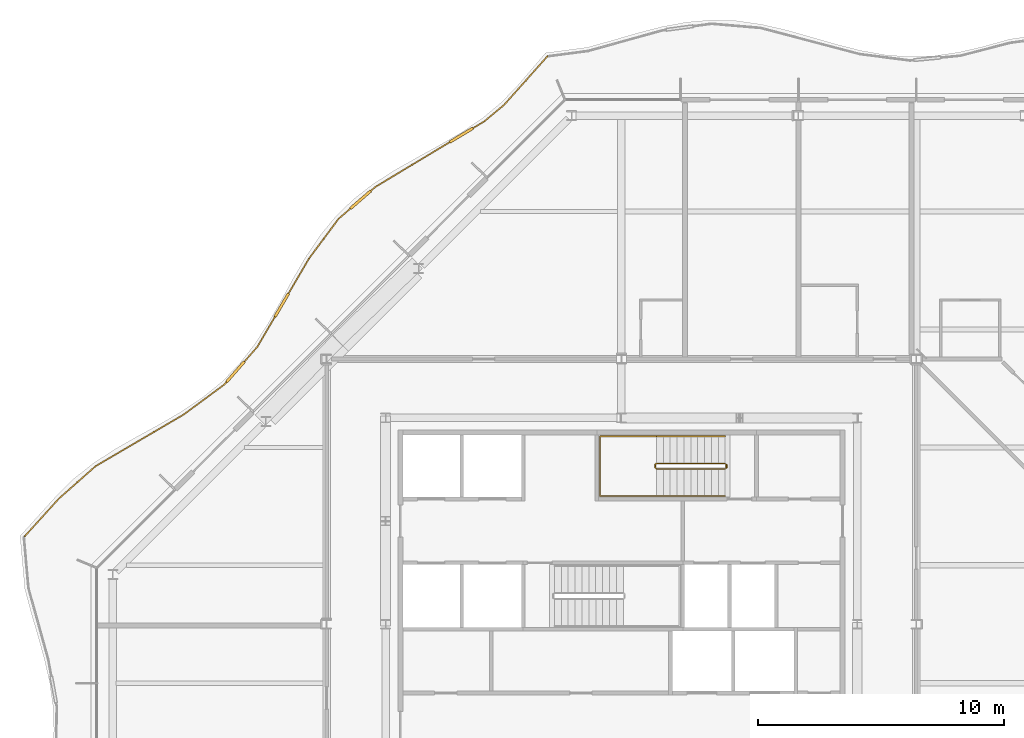
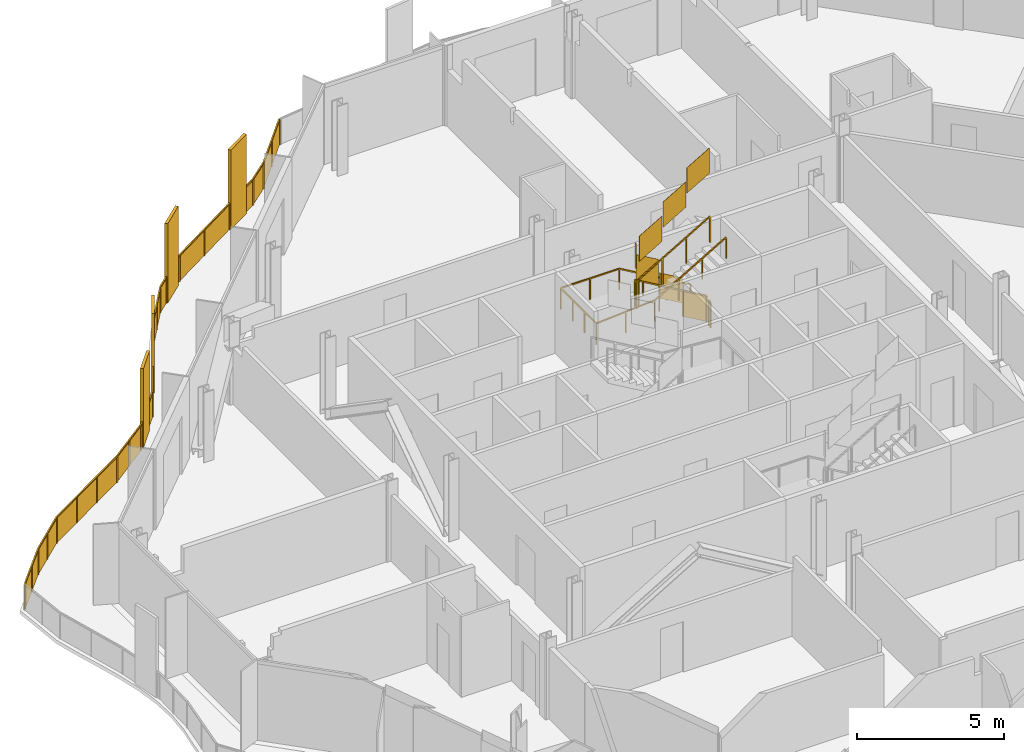
# One storey, part 16 of 17: 4 railings.
"""IFC4 building model written with IfcOpenShell, lengths in metres."""

from ifc_helpers import new_model, si_unit, direction, frame, origin, origin_2d, place, context, subcontext, project, spatial, polyline, rectangle, outline, extrude, material, type_object, element, save


model = new_model("IFC4")

# Units and contexts
model_context = context("Model", 3, precision=1e-05, world=origin(), true_north=direction((0.0, 1.0)))
body_context = subcontext(model_context, "Body", "Model", "MODEL_VIEW")
ifc_project = project(units=[si_unit("LENGTHUNIT", "METRE"), si_unit("AREAUNIT", "SQUARE_METRE"), si_unit("VOLUMEUNIT", "CUBIC_METRE"), si_unit("PLANEANGLEUNIT", "RADIAN"), si_unit("MASSUNIT", "GRAM", prefix="KILO")], contexts=[model_context])

# Site, building, storey
site_placement = place(None, origin())
site = spatial("IfcSite", under=ifc_project, at=site_placement, CompositionType="ELEMENT")
building_placement = place(site_placement, origin())
building = spatial("IfcBuilding", under=site, at=building_placement, Name="Cairn Pilgrim Tower", CompositionType="ELEMENT")
storey_placement = place(building_placement, frame((0.0, 0.0, 257.39990234375)))
storey = spatial("IfcBuildingStorey", under=building, at=storey_placement, Name="L66", CompositionType="ELEMENT", Elevation=257.39990234375)

# Railings
ifc_material_1 = material(Name="Bronze anodised aluminium rail, posts and fin screens with laminated glass infill", Category="aluminium")
railing_type_1 = type_object("IfcRailingType", Name="BALCONY GUARD WITH FIN SCREENS", PredefinedType="GUARDRAIL", material=ifc_material_1)
railing_1_placement = place(storey_placement, frame((4.187255859375, 25.5185546875, 0.0)))
element("IfcRailing", 1, at=railing_1_placement, inside=storey, type_object=railing_type_1, Name="Balcony guard BGF-6 with fin screens", PredefinedType="GUARDRAIL", context=body_context, shape_type="SweptSolid", body=[
    extrude(rectangle(XDim=0.050048828125, YDim=0.050048828125, at=origin_2d()), frame((0.0, 0.0, 1.0751953125), z_axis=(-0.665645255765, -0.746268311988, 0.0), x_axis=(0.746268311988, -0.665645255765, 0.0)), (0.0, 0.0, 1.0), 2.65869140625),
    extrude(rectangle(XDim=0.050048828125, YDim=0.050048828125, at=origin_2d()), frame((-1.769775390625, -1.984130859375, 1.0751953125), z_axis=(-0.769227911486, -0.638974506683, 0.0), x_axis=(0.638974506683, -0.769227911486, 0.0)), (0.0, 0.0, 1.0), 1.03271484375),
    extrude(rectangle(XDim=1.10009765625, YDim=0.110107421875, at=origin_2d()), frame((-3.50341796875, -3.20947265625, 0.0), z_axis=(0.0, 0.0, 1.0), x_axis=(-0.856735056824, -0.515756766712, 0.0)), (0.0, 0.0, 1.0), 3.300048828125),
    extrude(rectangle(XDim=0.050048828125, YDim=0.050048828125, at=origin_2d()), frame((-2.564208984375, -2.64404296875, 1.0751953125), z_axis=(-0.856735056824, -0.515756766712, 0.0), x_axis=(0.515756766712, -0.856735056824, 0.0)), (0.0, 0.0, 1.0), 0.54638671875),
    extrude(rectangle(XDim=0.050048828125, YDim=0.050048828125, at=origin_2d()), frame((-3.974853515625, -3.4931640625, 1.0751953125), z_axis=(-0.856735056824, -0.515756766712, 0.0), x_axis=(0.515756766712, -0.856735056824, 0.0)), (0.0, 0.0, 1.0), 3.533203125),
    extrude(rectangle(XDim=1.10009765625, YDim=0.110107421875, at=origin_2d()), frame((-7.608642578125, -5.841064453125, 0.0), z_axis=(0.0, 0.0, 1.0), x_axis=(-0.755855266983, -0.654738738256, 0.0)), (0.0, 0.0, 1.0), 3.300048828125),
    extrude(rectangle(XDim=0.050048828125, YDim=0.050048828125, at=origin_2d()), frame((-7.001708984375, -5.3154296875, 1.0751953125), z_axis=(-0.755855266983, -0.654738738256, 0.0), x_axis=(0.654738738256, -0.755855266983, 0.0)), (0.0, 0.0, 1.0), 0.2529296875),
    extrude(rectangle(XDim=0.050048828125, YDim=0.050048828125, at=origin_2d()), frame((-8.0244140625, -6.201171875, 1.0751953125), z_axis=(-0.755855266983, -0.654738738256, 0.0), x_axis=(0.654738738256, -0.755855266983, 0.0)), (0.0, 0.0, 1.0), 0.634033203125),
    extrude(rectangle(XDim=0.050048828125, YDim=0.050048828125, at=origin_2d()), frame((-8.503662109375, -6.616455078125, 1.0751953125), z_axis=(-0.596941621145, -0.802284675751, 0.0), x_axis=(0.802284675751, -0.596941621145, 0.0)), (0.0, 0.0, 1.0), 2.008056640625),
    extrude(rectangle(XDim=1.10009765625, YDim=0.110107421875, at=origin_2d()), frame((-10.81201171875, -10.12451171875, 0.0), z_axis=(0.0, 0.0, 1.0), x_axis=(-0.504945951806, -0.863150963479, 0.0)), (0.0, 0.0, 1.0), 3.300048828125),
    extrude(rectangle(XDim=0.050048828125, YDim=0.050048828125, at=origin_2d()), frame((-9.702392578125, -8.2275390625, 1.0751953125), z_axis=(-0.504945951806, -0.863150963479, 0.0), x_axis=(0.863150963479, -0.504945951806, 0.0)), (0.0, 0.0, 1.0), 1.647705078125),
    extrude(rectangle(XDim=0.050048828125, YDim=0.050048828125, at=origin_2d()), frame((-11.08984375, -10.59912109375, 1.0751953125), z_axis=(-0.504945951806, -0.863150963479, 0.0), x_axis=(0.863150963479, -0.504945951806, 0.0)), (0.0, 0.0, 1.0), 1.416748046875),
    extrude(rectangle(XDim=1.10009765625, YDim=0.110107421875, at=origin_2d()), frame((-12.691650390625, -12.835205078125, 0.0), z_axis=(0.0, 0.0, 1.0), x_axis=(-0.658470820357, -0.75260625744, 0.0)), (0.0, 0.0, 1.0), 3.300048828125),
    extrude(rectangle(XDim=0.050048828125, YDim=0.050048828125, at=origin_2d()), frame((-11.80517578125, -11.822021484375, 1.0751953125), z_axis=(-0.658470820357, -0.75260625744, 0.0), x_axis=(0.75260625744, -0.658470820357, 0.0)), (0.0, 0.0, 1.0), 0.79638671875),
    extrude(rectangle(XDim=0.050048828125, YDim=0.050048828125, at=origin_2d()), frame((-13.053955078125, -13.249267578125, 1.0751953125), z_axis=(-0.658470820357, -0.75260625744, 0.0), x_axis=(0.75260625744, -0.658470820357, 0.0)), (0.0, 0.0, 1.0), 0.14990234375),
    extrude(rectangle(XDim=0.050048828125, YDim=0.050048828125, at=origin_2d()), frame((-13.152587890625, -13.362060546875, 1.0751953125), z_axis=(-0.804841149106, -0.593490290322, 0.0), x_axis=(0.593490290322, -0.804841149106, 0.0)), (0.0, 0.0, 1.0), 2.058349609375),
    extrude(rectangle(XDim=0.050048828125, YDim=0.050048828125, at=origin_2d()), frame((-14.809326171875, -14.583740234375, 1.0751953125), z_axis=(-0.862802366809, -0.505541369059, 0.0), x_axis=(0.505541369059, -0.862802366809, 0.0)), (0.0, 0.0, 1.0), 4.15087890625),
    extrude(rectangle(XDim=0.050048828125, YDim=0.050048828125, at=origin_2d()), frame((-18.390625, -16.68212890625, 1.0751953125), z_axis=(-0.749326257364, -0.662200996696, 0.0), x_axis=(0.662200996696, -0.749326257364, 0.0)), (0.0, 0.0, 1.0), 1.992431640625),
    extrude(rectangle(XDim=0.050048828125, YDim=0.050048828125, at=origin_2d()), frame((-19.883544921875, -18.00146484375, 1.0751953125), z_axis=(-0.671655185114, -0.740863895942, 0.0), x_axis=(0.740863895942, -0.671655185114, 0.0)), (0.0, 0.0, 1.0), 2.067138671875),
    extrude(rectangle(XDim=0.050048828125, YDim=0.050048828125, at=origin_2d()), origin(), (0.0, 0.0, 1.0), 1.050048828125),
    extrude(rectangle(XDim=0.050048828125, YDim=0.050048828125, at=origin_2d()), frame((-0.884765625, -0.991943359375, 0.0)), (0.0, 0.0, 1.0), 1.050048828125),
    extrude(rectangle(XDim=0.050048828125, YDim=0.050048828125, at=origin_2d()), frame((-1.769775390625, -1.984130859375, 0.0)), (0.0, 0.0, 1.0), 1.050048828125),
    extrude(rectangle(XDim=0.050048828125, YDim=0.050048828125, at=origin_2d()), frame((-2.564208984375, -2.64404296875, 0.0)), (0.0, 0.0, 1.0), 1.050048828125),
    extrude(rectangle(XDim=0.050048828125, YDim=0.050048828125, at=origin_2d()), frame((-3.010986328125, -2.912841796875, 0.0)), (0.0, 0.0, 1.0), 1.050048828125),
    extrude(rectangle(XDim=0.050048828125, YDim=0.050048828125, at=origin_2d()), frame((-3.99609375, -3.506103515625, 0.0)), (0.0, 0.0, 1.0), 1.050048828125),
    extrude(rectangle(XDim=0.050048828125, YDim=0.050048828125, at=origin_2d()), frame((-5.4990234375, -4.41064453125, 0.0)), (0.0, 0.0, 1.0), 1.050048828125),
    extrude(rectangle(XDim=0.050048828125, YDim=0.050048828125, at=origin_2d()), frame((-7.001708984375, -5.3154296875, 0.0)), (0.0, 0.0, 1.0), 1.050048828125),
    extrude(rectangle(XDim=0.050048828125, YDim=0.050048828125, at=origin_2d()), frame((-7.174072265625, -5.464599609375, 0.0)), (0.0, 0.0, 1.0), 1.050048828125),
    extrude(rectangle(XDim=0.050048828125, YDim=0.050048828125, at=origin_2d()), frame((-8.043212890625, -6.217529296875, 0.0)), (0.0, 0.0, 1.0), 1.050048828125),
    extrude(rectangle(XDim=0.050048828125, YDim=0.050048828125, at=origin_2d()), frame((-8.503662109375, -6.616455078125, 0.0)), (0.0, 0.0, 1.0), 1.050048828125),
    extrude(rectangle(XDim=0.050048828125, YDim=0.050048828125, at=origin_2d()), frame((-9.10302734375, -7.421875, 0.0)), (0.0, 0.0, 1.0), 1.050048828125),
    extrude(rectangle(XDim=0.050048828125, YDim=0.050048828125, at=origin_2d()), frame((-9.702392578125, -8.2275390625, 0.0)), (0.0, 0.0, 1.0), 1.050048828125),
    extrude(rectangle(XDim=0.050048828125, YDim=0.050048828125, at=origin_2d()), frame((-10.521728515625, -9.628173828125, 0.0)), (0.0, 0.0, 1.0), 1.050048828125),
    extrude(rectangle(XDim=0.050048828125, YDim=0.050048828125, at=origin_2d()), frame((-11.1025390625, -10.620849609375, 0.0)), (0.0, 0.0, 1.0), 1.050048828125),
    extrude(rectangle(XDim=0.050048828125, YDim=0.050048828125, at=origin_2d()), frame((-11.80517578125, -11.822021484375, 0.0)), (0.0, 0.0, 1.0), 1.050048828125),
    extrude(rectangle(XDim=0.050048828125, YDim=0.050048828125, at=origin_2d()), frame((-12.31298828125, -12.402587890625, 0.0)), (0.0, 0.0, 1.0), 1.050048828125),
    extrude(rectangle(XDim=0.050048828125, YDim=0.050048828125, at=origin_2d()), frame((-13.0703125, -13.26806640625, 0.0)), (0.0, 0.0, 1.0), 1.050048828125),
    extrude(rectangle(XDim=0.050048828125, YDim=0.050048828125, at=origin_2d()), frame((-13.152587890625, -13.362060546875, 0.0)), (0.0, 0.0, 1.0), 1.050048828125),
    extrude(rectangle(XDim=0.050048828125, YDim=0.050048828125, at=origin_2d()), frame((-13.98095703125, -13.972900390625, 0.0)), (0.0, 0.0, 1.0), 1.050048828125),
    extrude(rectangle(XDim=0.050048828125, YDim=0.050048828125, at=origin_2d()), frame((-14.809326171875, -14.583740234375, 0.0)), (0.0, 0.0, 1.0), 1.050048828125),
    extrude(rectangle(XDim=0.050048828125, YDim=0.050048828125, at=origin_2d()), frame((-16.003173828125, -15.283203125, 0.0)), (0.0, 0.0, 1.0), 1.050048828125),
    extrude(rectangle(XDim=0.050048828125, YDim=0.050048828125, at=origin_2d()), frame((-17.19677734375, -15.982666015625, 0.0)), (0.0, 0.0, 1.0), 1.050048828125),
    extrude(rectangle(XDim=0.050048828125, YDim=0.050048828125, at=origin_2d()), frame((-18.390625, -16.68212890625, 0.0)), (0.0, 0.0, 1.0), 1.050048828125),
    extrude(rectangle(XDim=0.050048828125, YDim=0.050048828125, at=origin_2d()), frame((-19.13720703125, -17.341796875, 0.0)), (0.0, 0.0, 1.0), 1.050048828125),
    extrude(rectangle(XDim=0.050048828125, YDim=0.050048828125, at=origin_2d()), frame((-19.883544921875, -18.00146484375, 0.0)), (0.0, 0.0, 1.0), 1.050048828125),
    extrude(rectangle(XDim=0.050048828125, YDim=0.050048828125, at=origin_2d()), frame((-20.57763671875, -18.76708984375, 0.0)), (0.0, 0.0, 1.0), 1.050048828125),
    extrude(rectangle(XDim=0.050048828125, YDim=0.050048828125, at=origin_2d()), frame((-21.27197265625, -19.532958984375, 0.0)), (0.0, 0.0, 1.0), 1.050048828125),
    extrude(outline(polyline([(0.02490234375, 0.0), (1.304443359375, 0.0), (1.304443359375, 1.050048828125), (0.02490234375, 1.050048828125), (0.02490234375, 0.0)])), frame((0.00439453125, -0.00390625, 0.0), z_axis=(-0.746268311988, 0.665645255765, 0.0), x_axis=(-0.665645255765, -0.746268311988, 0.0)), (0.0, 0.0, 1.0), 0.011962890625),
    extrude(outline(polyline([(0.02490234375, 0.0), (1.304443359375, 0.0), (1.304443359375, 1.050048828125), (0.02490234375, 1.050048828125), (0.02490234375, 0.0)])), frame((-0.88037109375, -0.99609375, 0.0), z_axis=(-0.746268311988, 0.665645255765, 0.0), x_axis=(-0.665645255765, -0.746268311988, 0.0)), (0.0, 0.0, 1.0), 0.011962890625),
    extrude(outline(polyline([(0.02490234375, 0.0), (1.0078125, 0.0), (1.0078125, 1.050048828125), (0.02490234375, 1.050048828125), (0.02490234375, 0.0)])), frame((-1.765869140625, -1.98876953125, 0.0), z_axis=(-0.638974506683, 0.769227911486, 0.0), x_axis=(-0.769227911486, -0.638974506683, 0.0)), (0.0, 0.0, 1.0), 0.011962890625),
    extrude(outline(polyline([(0.02490234375, 0.0), (0.496337890625, 0.0), (0.496337890625, 1.050048828125), (0.02490234375, 1.050048828125), (0.02490234375, 0.0)])), frame((-2.56103515625, -2.649169921875, 0.0), z_axis=(-0.515756766712, 0.856735056824, 0.0), x_axis=(-0.856735056824, -0.515756766712, 0.0)), (0.0, 0.0, 1.0), 0.011962890625),
    extrude(outline(polyline([(0.02490234375, 0.0), (1.72900390625, 0.0), (1.72900390625, 1.050048828125), (0.02490234375, 1.050048828125), (0.02490234375, 0.0)])), frame((-3.9931640625, -3.51123046875, 0.0), z_axis=(-0.515756766712, 0.856735056824, 0.0), x_axis=(-0.856735056824, -0.515756766712, 0.0)), (0.0, 0.0, 1.0), 0.011962890625),
    extrude(outline(polyline([(0.02490234375, 0.0), (1.72900390625, 0.0), (1.72900390625, 1.050048828125), (0.02490234375, 1.050048828125), (0.02490234375, 0.0)])), frame((-5.495849609375, -4.415771484375, 0.0), z_axis=(-0.515756766712, 0.856735056824, 0.0), x_axis=(-0.856735056824, -0.515756766712, 0.0)), (0.0, 0.0, 1.0), 0.011962890625),
    extrude(outline(polyline([(0.02490234375, 0.0), (0.202880859375, 0.0), (0.202880859375, 1.050048828125), (0.02490234375, 1.050048828125), (0.02490234375, 0.0)])), frame((-6.997802734375, -5.320068359375, 0.0), z_axis=(-0.654738738256, 0.755855266983, 0.0), x_axis=(-0.755855266983, -0.654738738256, 0.0)), (0.0, 0.0, 1.0), 0.011962890625),
    extrude(outline(polyline([(0.02490234375, 0.0), (0.583984375, 0.0), (0.583984375, 1.050048828125), (0.02490234375, 1.050048828125), (0.02490234375, 0.0)])), frame((-8.039306640625, -6.22216796875, 0.0), z_axis=(-0.654738738256, 0.755855266983, 0.0), x_axis=(-0.755855266983, -0.654738738256, 0.0)), (0.0, 0.0, 1.0), 0.011962890625),
    extrude(outline(polyline([(0.02490234375, 0.0), (0.97900390625, 0.0), (0.97900390625, 1.050048828125), (0.02490234375, 1.050048828125), (0.02490234375, 0.0)])), frame((-8.498779296875, -6.6201171875, 0.0), z_axis=(-0.802284675751, 0.596941621145, 0.0), x_axis=(-0.596941621145, -0.802284675751, 0.0)), (0.0, 0.0, 1.0), 0.011962890625),
    extrude(outline(polyline([(0.02490234375, 0.0), (0.97900390625, 0.0), (0.97900390625, 1.050048828125), (0.02490234375, 1.050048828125), (0.02490234375, 0.0)])), frame((-9.09814453125, -7.425537109375, 0.0), z_axis=(-0.802284675751, 0.596941621145, 0.0), x_axis=(-0.596941621145, -0.802284675751, 0.0)), (0.0, 0.0, 1.0), 0.011962890625),
    extrude(outline(polyline([(0.02490234375, 0.0), (1.59765625, 0.0), (1.59765625, 1.050048828125), (0.02490234375, 1.050048828125), (0.02490234375, 0.0)])), frame((-9.697265625, -8.23046875, 0.0), z_axis=(-0.863150963479, 0.504945951806, 0.0), x_axis=(-0.504945951806, -0.863150963479, 0.0)), (0.0, 0.0, 1.0), 0.011962890625),
    extrude(outline(polyline([(0.02490234375, 0.0), (1.36669921875, 0.0), (1.36669921875, 1.050048828125), (0.02490234375, 1.050048828125), (0.02490234375, 0.0)])), frame((-11.09716796875, -10.623779296875, 0.0), z_axis=(-0.863150963479, 0.504945951806, 0.0), x_axis=(-0.504945951806, -0.863150963479, 0.0)), (0.0, 0.0, 1.0), 0.011962890625),
    extrude(outline(polyline([(0.02490234375, 0.0), (0.746337890625, 0.0), (0.746337890625, 1.050048828125), (0.02490234375, 1.050048828125), (0.02490234375, 0.0)])), frame((-11.80078125, -11.825927734375, 0.0), z_axis=(-0.75260625744, 0.658470820357, 0.0), x_axis=(-0.658470820357, -0.75260625744, 0.0)), (0.0, 0.0, 1.0), 0.011962890625),
    extrude(outline(polyline([(0.02490234375, 0.0), (0.099853515625, 0.0), (0.099853515625, 1.050048828125), (0.02490234375, 1.050048828125), (0.02490234375, 0.0)])), frame((-13.06591796875, -13.27197265625, 0.0), z_axis=(-0.75260625744, 0.658470820357, 0.0), x_axis=(-0.658470820357, -0.75260625744, 0.0)), (0.0, 0.0, 1.0), 0.011962890625),
    extrude(outline(polyline([(0.02490234375, 0.0), (1.004150390625, 0.0), (1.004150390625, 1.050048828125), (0.02490234375, 1.050048828125), (0.02490234375, 0.0)])), frame((-13.14892578125, -13.366943359375, 0.0), z_axis=(-0.593490290322, 0.804841149106, 0.0), x_axis=(-0.804841149106, -0.593490290322, 0.0)), (0.0, 0.0, 1.0), 0.011962890625),
    extrude(outline(polyline([(0.02490234375, 0.0), (1.004150390625, 0.0), (1.004150390625, 1.050048828125), (0.02490234375, 1.050048828125), (0.02490234375, 0.0)])), frame((-13.977294921875, -13.977783203125, 0.0), z_axis=(-0.593490290322, 0.804841149106, 0.0), x_axis=(-0.804841149106, -0.593490290322, 0.0)), (0.0, 0.0, 1.0), 0.011962890625),
    extrude(outline(polyline([(0.02490234375, 0.0), (1.358642578125, 0.0), (1.358642578125, 1.050048828125), (0.02490234375, 1.050048828125), (0.02490234375, 0.0)])), frame((-14.806396484375, -14.5888671875, 0.0), z_axis=(-0.505541369059, 0.862802366809, 0.0), x_axis=(-0.862802366809, -0.505541369059, 0.0)), (0.0, 0.0, 1.0), 0.011962890625),
    extrude(outline(polyline([(0.02490234375, 0.0), (1.358642578125, 0.0), (1.358642578125, 1.050048828125), (0.02490234375, 1.050048828125), (0.02490234375, 0.0)])), frame((-16.0, -15.288330078125, 0.0), z_axis=(-0.505541369059, 0.862802366809, 0.0), x_axis=(-0.862802366809, -0.505541369059, 0.0)), (0.0, 0.0, 1.0), 0.011962890625),
    extrude(outline(polyline([(0.02490234375, 0.0), (1.358642578125, 0.0), (1.358642578125, 1.050048828125), (0.02490234375, 1.050048828125), (0.02490234375, 0.0)])), frame((-17.19384765625, -15.98779296875, 0.0), z_axis=(-0.505541369059, 0.862802366809, 0.0), x_axis=(-0.862802366809, -0.505541369059, 0.0)), (0.0, 0.0, 1.0), 0.011962890625),
    extrude(outline(polyline([(0.02490234375, 0.0), (0.97119140625, 0.0), (0.97119140625, 1.050048828125), (0.02490234375, 1.050048828125), (0.02490234375, 0.0)])), frame((-18.38671875, -16.6865234375, 0.0), z_axis=(-0.662200996696, 0.749326257364, 0.0), x_axis=(-0.749326257364, -0.662200996696, 0.0)), (0.0, 0.0, 1.0), 0.011962890625),
    extrude(outline(polyline([(0.02490234375, 0.0), (0.97119140625, 0.0), (0.97119140625, 1.050048828125), (0.02490234375, 1.050048828125), (0.02490234375, 0.0)])), frame((-19.133056640625, -17.34619140625, 0.0), z_axis=(-0.662200996696, 0.749326257364, 0.0), x_axis=(-0.749326257364, -0.662200996696, 0.0)), (0.0, 0.0, 1.0), 0.011962890625),
    extrude(outline(polyline([(0.02490234375, 0.0), (1.008544921875, 0.0), (1.008544921875, 1.050048828125), (0.02490234375, 1.050048828125), (0.02490234375, 0.0)])), frame((-19.879150390625, -18.00537109375, 0.0), z_axis=(-0.740863895942, 0.671655185114, 0.0), x_axis=(-0.671655185114, -0.740863895942, 0.0)), (0.0, 0.0, 1.0), 0.011962890625),
    extrude(outline(polyline([(0.02490234375, 0.0), (1.008544921875, 0.0), (1.008544921875, 1.050048828125), (0.02490234375, 1.050048828125), (0.02490234375, 0.0)])), frame((-20.5732421875, -18.771240234375, 0.0), z_axis=(-0.740863895942, 0.671655185114, 0.0), x_axis=(-0.671655185114, -0.740863895942, 0.0)), (0.0, 0.0, 1.0), 0.011962890625),
])
ifc_material_2 = material(Name="Painted steel", Category="steel")
railing_type_2 = type_object("IfcRailingType", Name="STAIR GUARD 1100", PredefinedType="GUARDRAIL", material=ifc_material_2)
railing_2_placement = place(storey_placement, frame((11.425048828125, 8.949951171875, 0.163818359375)))
element("IfcRailing", 2, at=railing_2_placement, inside=storey, type_object=railing_type_2, Name="L66 ST-C stair guard 1", PredefinedType="GUARDRAIL", context=body_context, shape_type="SweptSolid", body=[
    extrude(rectangle(XDim=0.048095703125, YDim=0.048095703125, at=origin_2d()), frame((0.0, 0.0, 1.076171875), z_axis=(-0.863393664356, 0.0, 0.504530851732), x_axis=(0.0, -1.0, 0.0)), (0.0, 0.0, 1.0), 3.2431640625),
    extrude(rectangle(XDim=0.048095703125, YDim=0.048095703125, at=origin_2d()), frame((-2.800048828125, 0.0, 2.71240234375), z_axis=(-0.707106781187, -0.707106781187, 0.0), x_axis=(0.707106781187, -0.707106781187, 0.0)), (0.0, 0.0, 1.0), 0.07080078125),
    extrude(rectangle(XDim=0.048095703125, YDim=0.048095703125, at=origin_2d()), frame((-2.85009765625, -0.050048828125, 2.71240234375), z_axis=(0.0, -1.0, 0.0), x_axis=(1.0, 0.0, 0.0)), (0.0, 0.0, 1.0), 0.125),
    extrude(rectangle(XDim=0.048095703125, YDim=0.048095703125, at=origin_2d()), frame((-2.85009765625, -0.175048828125, 2.71240234375), z_axis=(0.280916556609, -0.279546231943, 0.91811752648), x_axis=(0.705375805398, 0.708833529934, 0.0)), (0.0, 0.0, 1.0), 0.17822265625),
    extrude(rectangle(XDim=0.048095703125, YDim=0.048095703125, at=origin_2d()), frame((-2.800048828125, -0.224853515625, 2.8759765625), z_axis=(0.863360870873, 0.0, 0.504586966384), x_axis=(0.0, 1.0, 0.0)), (0.0, 0.0, 1.0), 3.2431640625),
    extrude(rectangle(XDim=0.0419921875, YDim=0.0419921875, at=origin_2d()), origin(), (0.0, 0.0, 1.0), 1.052001953125),
    extrude(rectangle(XDim=0.0419921875, YDim=0.0419921875, at=origin_2d()), frame((-0.933349609375, 0.0, 0.54541015625)), (0.0, 0.0, 1.0), 1.052001953125),
    extrude(rectangle(XDim=0.0419921875, YDim=0.0419921875, at=origin_2d()), frame((-1.86669921875, 0.0, 1.0908203125)), (0.0, 0.0, 1.0), 1.052001953125),
    extrude(rectangle(XDim=0.0419921875, YDim=0.0419921875, at=origin_2d()), frame((-2.800048828125, 0.0, 1.63623046875)), (0.0, 0.0, 1.0), 1.052001953125),
    extrude(rectangle(XDim=0.0419921875, YDim=0.0419921875, at=origin_2d()), frame((-2.85009765625, -0.050048828125, 1.63623046875)), (0.0, 0.0, 1.0), 1.052001953125),
    extrude(rectangle(XDim=0.0419921875, YDim=0.0419921875, at=origin_2d()), frame((-2.85009765625, -0.175048828125, 1.63623046875)), (0.0, 0.0, 1.0), 1.052001953125),
    extrude(rectangle(XDim=0.0419921875, YDim=0.0419921875, at=origin_2d()), frame((-2.800048828125, -0.224853515625, 1.7998046875)), (0.0, 0.0, 1.0), 1.052001953125),
    extrude(rectangle(XDim=0.0419921875, YDim=0.0419921875, at=origin_2d()), frame((-1.86669921875, -0.224853515625, 2.34521484375)), (0.0, 0.0, 1.0), 1.052001953125),
    extrude(rectangle(XDim=0.0419921875, YDim=0.0419921875, at=origin_2d()), frame((-0.933349609375, -0.224853515625, 2.890869140625)), (0.0, 0.0, 1.0), 1.052001953125),
    extrude(rectangle(XDim=0.0419921875, YDim=0.0419921875, at=origin_2d()), frame((0.0, -0.224853515625, 3.436279296875)), (0.0, 0.0, 1.0), 1.052001953125),
    extrude(outline(polyline([(0.02099609375, 0.01220703125), (0.912353515625, 0.533203125), (0.912353515625, 1.585205078125), (0.02099609375, 1.064208984375), (0.02099609375, 0.01220703125)])), frame((0.0, -0.005859375, 0.0), z_axis=(0.0, 1.0, 0.0), x_axis=(-1.0, 0.0, 0.0)), (0.0, 0.0, 1.0), 0.011962890625),
    extrude(outline(polyline([(0.02099609375, 0.5576171875), (0.912353515625, 1.07861328125), (0.912353515625, 2.130615234375), (0.02099609375, 1.609619140625), (0.02099609375, 0.5576171875)])), frame((-0.933349609375, -0.005859375, 0.54541015625), z_axis=(0.0, 1.0, 0.0), x_axis=(-1.0, 0.0, 0.0)), (0.0, 0.0, 1.0), 0.011962890625),
    extrude(outline(polyline([(0.02099609375, 1.10302734375), (0.912353515625, 1.6240234375), (0.912353515625, 2.676025390625), (0.02099609375, 2.155029296875), (0.02099609375, 1.10302734375)])), frame((-1.86669921875, -0.005859375, 1.0908203125), z_axis=(0.0, 1.0, 0.0), x_axis=(-1.0, 0.0, 0.0)), (0.0, 0.0, 1.0), 0.011962890625),
    extrude(outline(polyline([(0.02099609375, 1.63623046875), (0.10400390625, 1.63623046875), (0.10400390625, 2.688232421875), (0.02099609375, 2.688232421875), (0.02099609375, 1.63623046875)])), frame((-2.84423828125, -0.050048828125, 1.63623046875), z_axis=(-1.0, 0.0, 0.0), x_axis=(0.0, -1.0, 0.0)), (0.0, 0.0, 1.0), 0.011962890625),
    extrude(outline(polyline([(0.02099609375, 1.81201171875), (0.912353515625, 2.3330078125), (0.912353515625, 3.385009765625), (0.02099609375, 2.864013671875), (0.02099609375, 1.81201171875)])), frame((-2.800048828125, -0.21875, 1.7998046875), z_axis=(0.0, -1.0, 0.0), x_axis=(1.0, 0.0, 0.0)), (0.0, 0.0, 1.0), 0.011962890625),
    extrude(outline(polyline([(0.02099609375, 2.357666015625), (0.912353515625, 2.87841796875), (0.912353515625, 3.930419921875), (0.02099609375, 3.40966796875), (0.02099609375, 2.357666015625)])), frame((-1.86669921875, -0.21875, 2.34521484375), z_axis=(0.0, -1.0, 0.0), x_axis=(1.0, 0.0, 0.0)), (0.0, 0.0, 1.0), 0.011962890625),
    extrude(outline(polyline([(0.02099609375, 2.903076171875), (0.912353515625, 3.424072265625), (0.912353515625, 4.47607421875), (0.02099609375, 3.955078125), (0.02099609375, 2.903076171875)])), frame((-0.933349609375, -0.21875, 2.890869140625), z_axis=(0.0, -1.0, 0.0), x_axis=(1.0, 0.0, 0.0)), (0.0, 0.0, 1.0), 0.011962890625),
])
railing_3_placement = place(storey_placement, frame((11.47509765625, 8.89990234375, 0.0)))
element("IfcRailing", 3, at=railing_3_placement, inside=storey, type_object=railing_type_2, Name="L66 ST-C stair guard 2", PredefinedType="GUARDRAIL", context=body_context, shape_type="SweptSolid", body=[
    extrude(rectangle(XDim=0.048095703125, YDim=0.048095703125, at=origin_2d()), frame((0.0, 0.0, 1.076171875), z_axis=(0.0, -1.0, 0.0), x_axis=(1.0, 0.0, 0.0)), (0.0, 0.0, 1.0), 0.125),
    extrude(rectangle(XDim=0.0419921875, YDim=0.0419921875, at=origin_2d()), origin(), (0.0, 0.0, 1.0), 1.052001953125),
    extrude(rectangle(XDim=0.0419921875, YDim=0.0419921875, at=origin_2d()), frame((0.0, -0.125, 0.0)), (0.0, 0.0, 1.0), 1.052001953125),
    extrude(outline(polyline([(0.02099609375, 0.0), (0.10400390625, 0.0), (0.10400390625, 1.052001953125), (0.02099609375, 1.052001953125), (0.02099609375, 0.0)])), frame((0.005859375, 0.0, 0.0), z_axis=(-1.0, 0.0, 0.0), x_axis=(0.0, -1.0, 0.0)), (0.0, 0.0, 1.0), 0.011962890625),
])
railing_type_3 = type_object("IfcRailingType", Name="STAIR HANDRAIL 900", PredefinedType="HANDRAIL", material=ifc_material_2)
railing_4_placement = place(storey_placement, frame((11.425048828125, 10.050048828125, 0.163818359375)))
element("IfcRailing", 4, at=railing_4_placement, inside=storey, type_object=railing_type_3, Name="L66 ST-C stair handrail 1", PredefinedType="HANDRAIL", context=body_context, shape_type="SweptSolid", body=[
    extrude(rectangle(XDim=0.048095703125, YDim=0.048095703125, at=origin_2d()), frame((0.0, 0.0, 0.8759765625), z_axis=(-0.863393664356, 0.0, 0.504530851732), x_axis=(0.0, -1.0, 0.0)), (0.0, 0.0, 1.0), 3.2431640625),
    extrude(rectangle(XDim=0.048095703125, YDim=0.048095703125, at=origin_2d()), frame((-2.800048828125, 0.0, 2.51220703125), z_axis=(-1.0, 0.0, 0.0), x_axis=(0.0, -1.0, 0.0)), (0.0, 0.0, 1.0), 2.300048828125),
    extrude(rectangle(XDim=0.048095703125, YDim=0.048095703125, at=origin_2d()), frame((-5.10009765625, 0.0, 2.51220703125), z_axis=(0.0, -1.0, 0.0), x_axis=(1.0, 0.0, 0.0)), (0.0, 0.0, 1.0), 2.425048828125),
    extrude(rectangle(XDim=0.048095703125, YDim=0.048095703125, at=origin_2d()), frame((-5.10009765625, -2.425048828125, 2.51220703125), z_axis=(0.997480687736, 0.0, 0.070938548008), x_axis=(0.0, 1.0, 0.0)), (0.0, 0.0, 1.0), 2.305908203125),
    extrude(rectangle(XDim=0.048095703125, YDim=0.048095703125, at=origin_2d()), frame((-2.800048828125, -2.425048828125, 2.67578125), z_axis=(0.863360870873, 0.0, 0.504586966384), x_axis=(0.0, 1.0, 0.0)), (0.0, 0.0, 1.0), 3.2431640625),
    extrude(rectangle(XDim=0.0419921875, YDim=0.0419921875, at=origin_2d()), origin(), (0.0, 0.0, 1.0), 0.851806640625),
    extrude(rectangle(XDim=0.0419921875, YDim=0.0419921875, at=origin_2d()), frame((-0.933349609375, 0.0, 0.54541015625)), (0.0, 0.0, 1.0), 0.851806640625),
    extrude(rectangle(XDim=0.0419921875, YDim=0.0419921875, at=origin_2d()), frame((-1.86669921875, 0.0, 1.0908203125)), (0.0, 0.0, 1.0), 0.851806640625),
    extrude(rectangle(XDim=0.0419921875, YDim=0.0419921875, at=origin_2d()), frame((-2.800048828125, 0.0, 1.63623046875)), (0.0, 0.0, 1.0), 0.851806640625),
    extrude(rectangle(XDim=0.0419921875, YDim=0.0419921875, at=origin_2d()), frame((-3.9501953125, 0.0, 1.63623046875)), (0.0, 0.0, 1.0), 0.851806640625),
    extrude(rectangle(XDim=0.0419921875, YDim=0.0419921875, at=origin_2d()), frame((-5.10009765625, 0.0, 1.63623046875)), (0.0, 0.0, 1.0), 0.851806640625),
    extrude(rectangle(XDim=0.0419921875, YDim=0.0419921875, at=origin_2d()), frame((-5.10009765625, -0.808349609375, 1.63623046875)), (0.0, 0.0, 1.0), 0.851806640625),
    extrude(rectangle(XDim=0.0419921875, YDim=0.0419921875, at=origin_2d()), frame((-5.10009765625, -1.61669921875, 1.63623046875)), (0.0, 0.0, 1.0), 0.851806640625),
    extrude(rectangle(XDim=0.0419921875, YDim=0.0419921875, at=origin_2d()), frame((-5.10009765625, -2.425048828125, 1.63623046875)), (0.0, 0.0, 1.0), 0.851806640625),
    extrude(rectangle(XDim=0.0419921875, YDim=0.0419921875, at=origin_2d()), frame((-3.9501953125, -2.425048828125, 1.718017578125)), (0.0, 0.0, 1.0), 0.851806640625),
    extrude(rectangle(XDim=0.0419921875, YDim=0.0419921875, at=origin_2d()), frame((-2.800048828125, -2.425048828125, 1.7998046875)), (0.0, 0.0, 1.0), 0.851806640625),
    extrude(rectangle(XDim=0.0419921875, YDim=0.0419921875, at=origin_2d()), frame((-1.86669921875, -2.425048828125, 2.34521484375)), (0.0, 0.0, 1.0), 0.851806640625),
    extrude(rectangle(XDim=0.0419921875, YDim=0.0419921875, at=origin_2d()), frame((-0.933349609375, -2.425048828125, 2.890869140625)), (0.0, 0.0, 1.0), 0.851806640625),
    extrude(rectangle(XDim=0.0419921875, YDim=0.0419921875, at=origin_2d()), frame((0.0, -2.425048828125, 3.436279296875)), (0.0, 0.0, 1.0), 0.851806640625),
])

save(model, "model.ifc")
